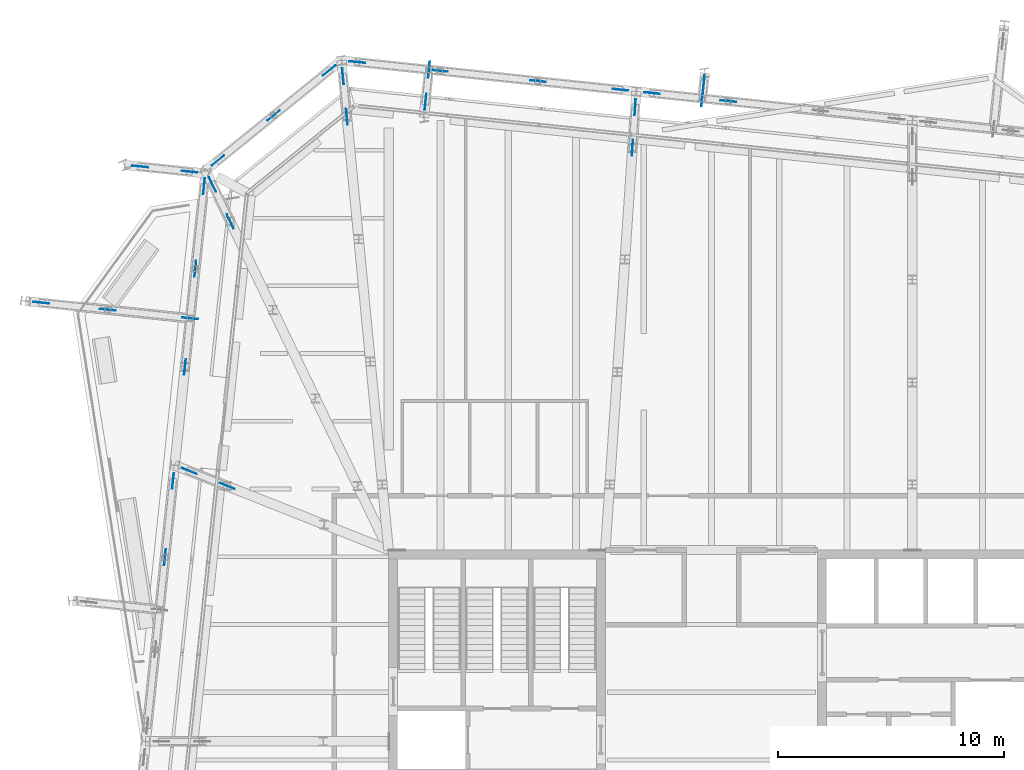
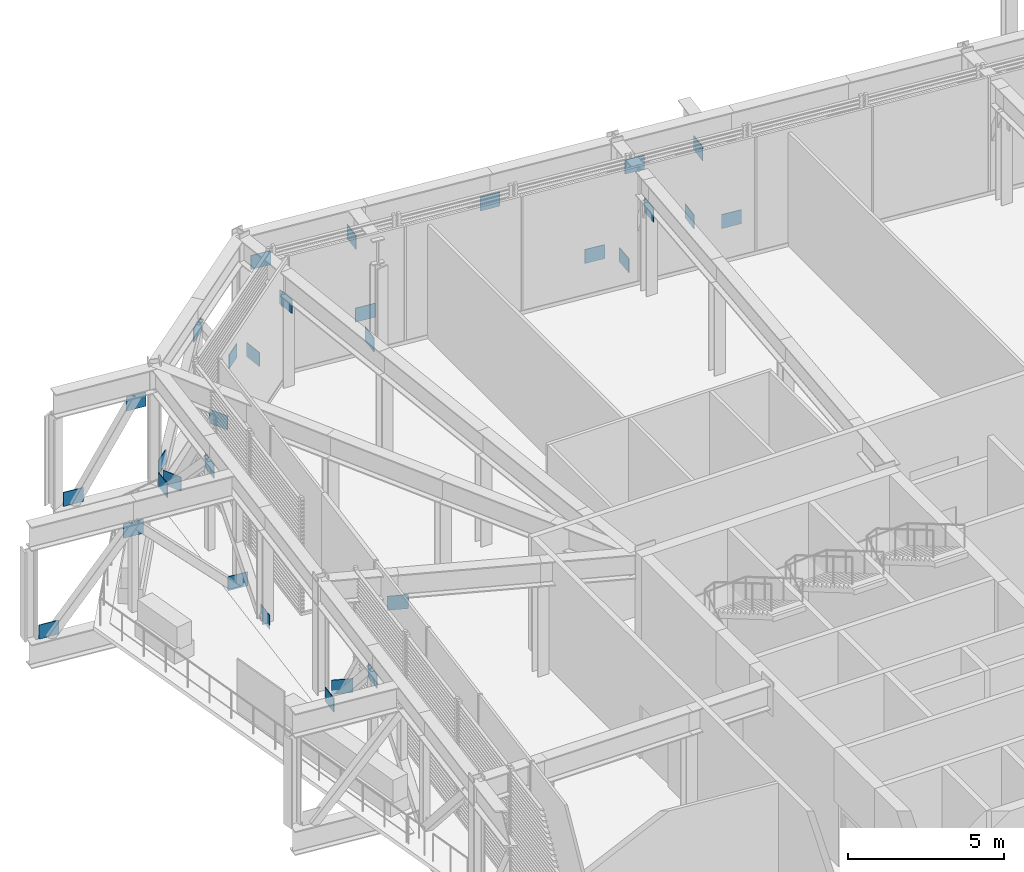
# One storey, part 32 of 36: 31 discrete accessories.
"""IFC4 building model written with IfcOpenShell, lengths in metres."""

from ifc_helpers import new_model, si_unit, direction, frame, origin, origin_2d, place, context, subcontext, project, spatial, rectangle, extrude, material, layer, layer_set, type_object, element, save


model = new_model("IFC4")

# Units and contexts
model_context = context("Model", 3, precision=1e-05, world=origin(), true_north=direction((0.0, 1.0)))
body_context = subcontext(model_context, "Body", "Model", "MODEL_VIEW")
ifc_project = project(units=[si_unit("LENGTHUNIT", "METRE"), si_unit("AREAUNIT", "SQUARE_METRE"), si_unit("VOLUMEUNIT", "CUBIC_METRE"), si_unit("PLANEANGLEUNIT", "RADIAN"), si_unit("MASSUNIT", "GRAM", prefix="KILO")], contexts=[model_context])

# Site, building, storey
site_placement = place(None, origin())
site = spatial("IfcSite", under=ifc_project, at=site_placement, CompositionType="ELEMENT")
building_placement = place(site_placement, origin())
building = spatial("IfcBuilding", under=site, at=building_placement, Name="Millrace Tower", CompositionType="ELEMENT")
storey_placement = place(building_placement, frame((0.0, 0.0, 271.39990234375)))
storey = spatial("IfcBuildingStorey", under=building, at=storey_placement, Name="L62", CompositionType="ELEMENT", Elevation=271.39990234375)

# Discrete accessories
ifc_material = material(Name="Steel ASTM A572 Grade 50", Category="steel")
ifc_layer = layer(ifc_material, 0.02490234375)
ifc_layer_set = layer_set([ifc_layer], Name="Steel ASTM A572 Grade 50")
discrete_accessory_type = type_object("IfcDiscreteAccessoryType", Name="Truss gusset plate 700x550x25", PredefinedType="BRACKET", material=ifc_layer_set)
for number, where, z_axis, x_axis, name in (
    (1, (0.400146484375, 29.21533203125, 0.114990234375), (0.99451309317, -0.104612176701, 0.0), (0.104612176701, 0.99451309317, 0.0), "Truss gusset plate TRS-L62-R11-D02 foot"),
    (2, (-2.981201171875, 29.57080078125, 3.2177734375), (0.99451309317, -0.104612176701, 0.0), (0.104612176701, 0.99451309317, 0.0), "Truss gusset plate TRS-L62-R11-D03 head"),
    (3, (-4.37353515625, 29.717041015625, 0.114990234375), (0.99451309317, -0.104612176701, 0.0), (0.104612176701, 0.99451309317, 0.0), "Truss gusset plate TRS-L62-R12-D01 foot"),
    (4, (-8.029541015625, 30.101318359375, 3.2177734375), (0.99451309317, -0.104612176701, 0.0), (0.104612176701, 0.99451309317, 0.0), "Truss gusset plate TRS-L62-R12-D01 head"),
):
    element("IfcDiscreteAccessory", number, at=place(storey_placement, frame(where, z_axis=z_axis, x_axis=x_axis)), inside=storey, type_object=discrete_accessory_type, Name=name, PredefinedType="BRACKET", context=body_context, shape_type="SweptSolid", body=[
        extrude(rectangle(XDim=0.02490234375, YDim=0.550048828125, at=origin_2d()), origin(), (0.0, 0.0, 1.0), 0.7001953125),
    ])
for number, where, z_axis, x_axis, name in (
    (5, (-12.381591796875, 30.55859375, 0.114990234375), (0.994545520413, -0.10430344111, 0.0), (0.10430344111, 0.994545520413, 0.0), "Truss gusset plate TRS-L62-R12-D02 foot"),
    (6, (-16.03759765625, 30.943115234375, 3.2177734375), (0.994509275033, -0.104648468085, 0.0), (0.104648468085, 0.994509275033, 0.0), "Truss gusset plate TRS-L62-R12-D03 head"),
    (7, (-17.20166015625, 30.31884765625, 0.114990234375), (0.777179880172, 0.629278502617, 0.0), (-0.629278502617, 0.777179880172, 0.0), "Truss gusset plate TRS-L62-R13-D01 foot"),
    (8, (-19.66455078125, 28.324462890625, 3.2177734375), (0.777179880172, 0.629278502617, 0.0), (-0.629278502617, 0.777179880172, 0.0), "Truss gusset plate TRS-L62-R13-D01 head"),
    (9, (-22.127197265625, 26.330078125, 0.114990234375), (0.777009292299, 0.629489125943, 0.0), (-0.629489125943, 0.777009292299, 0.0), "Truss gusset plate TRS-L62-R13-D02 foot"),
    (10, (-22.509033203125, 25.065673828125, 0.114990234375), (0.104648468085, 0.994509275033, 0.0), (-0.994509275033, 0.104648468085, 0.0), "Truss gusset plate TRS-L62-R14-D01 foot"),
    (11, (-22.893310546875, 21.40966796875, 3.2177734375), (0.104648468085, 0.994509275033, 0.0), (-0.994509275033, 0.104648468085, 0.0), "Truss gusset plate TRS-L62-R14-D01 head"),
    (12, (-23.3505859375, 17.0576171875, 0.114990234375), (0.10430344111, 0.994545520413, 0.0), (-0.994545520413, 0.10430344111, 0.0), "Truss gusset plate TRS-L62-R14-D02 foot"),
):
    element("IfcDiscreteAccessory", number, at=place(storey_placement, frame(where, z_axis=z_axis, x_axis=x_axis)), inside=storey, type_object=discrete_accessory_type, Name=name, PredefinedType="BRACKET", context=body_context, shape_type="SweptSolid", body=[
        extrude(rectangle(XDim=0.02490234375, YDim=0.550048828125, at=origin_2d()), origin(), (0.0, 0.0, 1.0), 0.699951171875),
    ])
for number, where, z_axis, x_axis, name in (
    (13, (-23.88134765625, 12.009033203125, 0.114990234375), (0.104612176701, 0.99451309317, 0.0), (-0.99451309317, 0.104612176701, 0.0), "Truss gusset plate TRS-L62-R15-D01 foot"),
    (14, (-24.23681640625, 8.627685546875, 3.2177734375), (0.104612176701, 0.99451309317, 0.0), (-0.99451309317, 0.104612176701, 0.0), "Truss gusset plate TRS-L62-R15-D01 head"),
):
    element("IfcDiscreteAccessory", number, at=place(storey_placement, frame(where, z_axis=z_axis, x_axis=x_axis)), inside=storey, type_object=discrete_accessory_type, Name=name, PredefinedType="BRACKET", context=body_context, shape_type="SweptSolid", body=[
        extrude(rectangle(XDim=0.02490234375, YDim=0.550048828125, at=origin_2d()), origin(), (0.0, 0.0, 1.0), 0.7001953125),
    ])
discrete_accessory_1_placement = place(storey_placement, frame((-3.39990234375, 28.559814453125, 0.114990234375), z_axis=(0.067329386305, 0.997730802241, 0.0), x_axis=(-0.997730802241, 0.067329386305, 0.0)))
element("IfcDiscreteAccessory", 15, at=discrete_accessory_1_placement, inside=storey, type_object=discrete_accessory_type, Name="Truss gusset plate TRS-L62-C12-D01 foot", PredefinedType="BRACKET", context=body_context, shape_type="SweptSolid", body=[
    extrude(rectangle(XDim=0.02490234375, YDim=0.550048828125, at=origin_2d()), origin(), (0.0, 0.0, 1.0), 0.699951171875),
])
discrete_accessory_2_placement = place(storey_placement, frame((-3.521240234375, 26.763671875, 3.2177734375), z_axis=(0.067305959418, 0.99773238287, 0.0), x_axis=(-0.99773238287, 0.067305959418, 0.0)))
element("IfcDiscreteAccessory", 16, at=discrete_accessory_2_placement, inside=storey, type_object=discrete_accessory_type, Name="Truss gusset plate TRS-L62-C12-D01 head", PredefinedType="BRACKET", context=body_context, shape_type="SweptSolid", body=[
    extrude(rectangle(XDim=0.02490234375, YDim=0.550048828125, at=origin_2d()), origin(), (0.0, 0.0, 1.0), 0.7001953125),
])
for number, where, z_axis, x_axis, name in (
    (17, (-16.352294921875, 30.631103515625, 0.114990234375), (0.095911774949, -0.995389838921, 0.0), (0.995389838921, 0.095911774949, 0.0), "Truss gusset plate TRS-L62-C13-D01 foot"),
    (18, (-16.1796875, 28.83935546875, 3.2177734375), (0.095566195899, -0.995423076989, 0.0), (0.995423076989, 0.095566195899, 0.0), "Truss gusset plate TRS-L62-C13-D01 head"),
    (19, (-22.247314453125, 25.794677734375, 0.114990234375), (0.433910002748, -0.900956219533, 0.0), (0.900956219533, 0.433910002748, 0.0), "Truss gusset plate TRS-L62-C14-D01 foot"),
    (20, (-21.466064453125, 24.173095703125, 3.2177734375), (0.434193068971, -0.900819837069, 0.0), (0.900819837069, 0.434193068971, 0.0), "Truss gusset plate TRS-L62-C14-D01 head"),
):
    element("IfcDiscreteAccessory", number, at=place(storey_placement, frame(where, z_axis=z_axis, x_axis=x_axis)), inside=storey, type_object=discrete_accessory_type, Name=name, PredefinedType="BRACKET", context=body_context, shape_type="SweptSolid", body=[
        extrude(rectangle(XDim=0.02490234375, YDim=0.550048828125, at=origin_2d()), origin(), (0.0, 0.0, 1.0), 0.699951171875),
    ])
discrete_accessory_3_placement = place(storey_placement, frame((-23.4462890625, 12.92431640625, 0.114990234375), z_axis=(0.929722055155, -0.368261999341, 0.0), x_axis=(0.368261999341, 0.929722055155, 0.0)))
element("IfcDiscreteAccessory", 21, at=discrete_accessory_3_placement, inside=storey, type_object=discrete_accessory_type, Name="Truss gusset plate TRS-L62-C15-D01 foot", PredefinedType="BRACKET", context=body_context, shape_type="SweptSolid", body=[
    extrude(rectangle(XDim=0.02490234375, YDim=0.550048828125, at=origin_2d()), origin(), (0.0, 0.0, 1.0), 0.7001953125),
])
for number, where, z_axis, x_axis, name in (
    (22, (-21.772705078125, 12.26123046875, 3.2177734375), (0.929674738062, -0.368381434669, 0.0), (0.368381434669, 0.929674738062, 0.0), "Truss gusset plate TRS-L62-C15-D01 head"),
    (23, (-0.372314453125, 29.628662109375, 0.114990234375), (0.10430344111, 0.994545520413, 0.0), (-0.994545520413, 0.10430344111, 0.0), "Truss gusset plate TRS-L62-B-D-X11-D01 foot"),
):
    element("IfcDiscreteAccessory", number, at=place(storey_placement, frame(where, z_axis=z_axis, x_axis=x_axis)), inside=storey, type_object=discrete_accessory_type, Name=name, PredefinedType="BRACKET", context=body_context, shape_type="SweptSolid", body=[
        extrude(rectangle(XDim=0.02490234375, YDim=0.550048828125, at=origin_2d()), origin(), (0.0, 0.0, 1.0), 0.699951171875),
    ])
for number, where, z_axis, x_axis, name in (
    (24, (-0.443603515625, 28.951904296875, 3.2177734375), (0.104612176701, 0.99451309317, 0.0), (-0.99451309317, 0.104612176701, 0.0), "Truss gusset plate TRS-L62-B-D-X11-D01 head"),
    (25, (-12.69677734375, 28.8046875, 0.114990234375), (0.104612176701, 0.99451309317, 0.0), (-0.99451309317, 0.104612176701, 0.0), "Truss gusset plate TRS-L62-B-D-X12-D01 foot"),
    (26, (-12.547607421875, 30.22412109375, 3.2177734375), (0.104612176701, 0.99451309317, 0.0), (-0.99451309317, 0.104612176701, 0.0), "Truss gusset plate TRS-L62-B-D-X12-D01 head"),
):
    element("IfcDiscreteAccessory", number, at=place(storey_placement, frame(where, z_axis=z_axis, x_axis=x_axis)), inside=storey, type_object=discrete_accessory_type, Name=name, PredefinedType="BRACKET", context=body_context, shape_type="SweptSolid", body=[
        extrude(rectangle(XDim=0.02490234375, YDim=0.550048828125, at=origin_2d()), origin(), (0.0, 0.0, 1.0), 0.7001953125),
    ])
discrete_accessory_4_placement = place(storey_placement, frame((-25.648193359375, 26.3193359375, 0.114990234375), z_axis=(0.994509275033, -0.104648468085, 0.0), x_axis=(0.104648468085, 0.994509275033, 0.0)))
element("IfcDiscreteAccessory", 27, at=discrete_accessory_4_placement, inside=storey, type_object=discrete_accessory_type, Name="Truss gusset plate TRS-L62-B-D-X13-D01 foot", PredefinedType="BRACKET", context=body_context, shape_type="SweptSolid", body=[
    extrude(rectangle(XDim=0.02490234375, YDim=0.550048828125, at=origin_2d()), origin(), (0.0, 0.0, 1.0), 0.699951171875),
])
discrete_accessory_5_placement = place(storey_placement, frame((-23.457275390625, 26.089111328125, 3.2177734375), z_axis=(0.994549313552, -0.104267266743, 0.0), x_axis=(0.104267266743, 0.994549313552, 0.0)))
element("IfcDiscreteAccessory", 28, at=discrete_accessory_5_placement, inside=storey, type_object=discrete_accessory_type, Name="Truss gusset plate TRS-L62-B-D-X13-D01 head", PredefinedType="BRACKET", context=body_context, shape_type="SweptSolid", body=[
    extrude(rectangle(XDim=0.02490234375, YDim=0.550048828125, at=origin_2d()), origin(), (0.0, 0.0, 1.0), 0.7001953125),
])
discrete_accessory_6_placement = place(storey_placement, frame((-30.0302734375, 20.2880859375, 0.114990234375), z_axis=(0.994509275033, -0.104648468085, 0.0), x_axis=(0.104648468085, 0.994509275033, 0.0)))
element("IfcDiscreteAccessory", 29, at=discrete_accessory_6_placement, inside=storey, type_object=discrete_accessory_type, Name="Truss gusset plate TRS-L62-B-D-X14-D01 foot", PredefinedType="BRACKET", context=body_context, shape_type="SweptSolid", body=[
    extrude(rectangle(XDim=0.02490234375, YDim=0.550048828125, at=origin_2d()), origin(), (0.0, 0.0, 1.0), 0.699951171875),
])
discrete_accessory_7_placement = place(storey_placement, frame((-27.081298828125, 19.97802734375, 3.2177734375), z_axis=(0.994549313552, -0.104267266743, 0.0), x_axis=(0.104267266743, 0.994549313552, 0.0)))
element("IfcDiscreteAccessory", 30, at=discrete_accessory_7_placement, inside=storey, type_object=discrete_accessory_type, Name="Truss gusset plate TRS-L62-B-D-X14-D01 head", PredefinedType="BRACKET", context=body_context, shape_type="SweptSolid", body=[
    extrude(rectangle(XDim=0.02490234375, YDim=0.550048828125, at=origin_2d()), origin(), (0.0, 0.0, 1.0), 0.7001953125),
])
discrete_accessory_8_placement = place(storey_placement, frame((-23.435791015625, 19.594970703125, 0.114990234375), z_axis=(0.994509275033, -0.104648468085, 0.0), x_axis=(0.104648468085, 0.994509275033, 0.0)))
element("IfcDiscreteAccessory", 31, at=discrete_accessory_8_placement, inside=storey, type_object=discrete_accessory_type, Name="Truss gusset plate TRS-L62-B-D-X14-D02 foot", PredefinedType="BRACKET", context=body_context, shape_type="SweptSolid", body=[
    extrude(rectangle(XDim=0.02490234375, YDim=0.550048828125, at=origin_2d()), origin(), (0.0, 0.0, 1.0), 0.699951171875),
])

save(model, "model.ifc")
